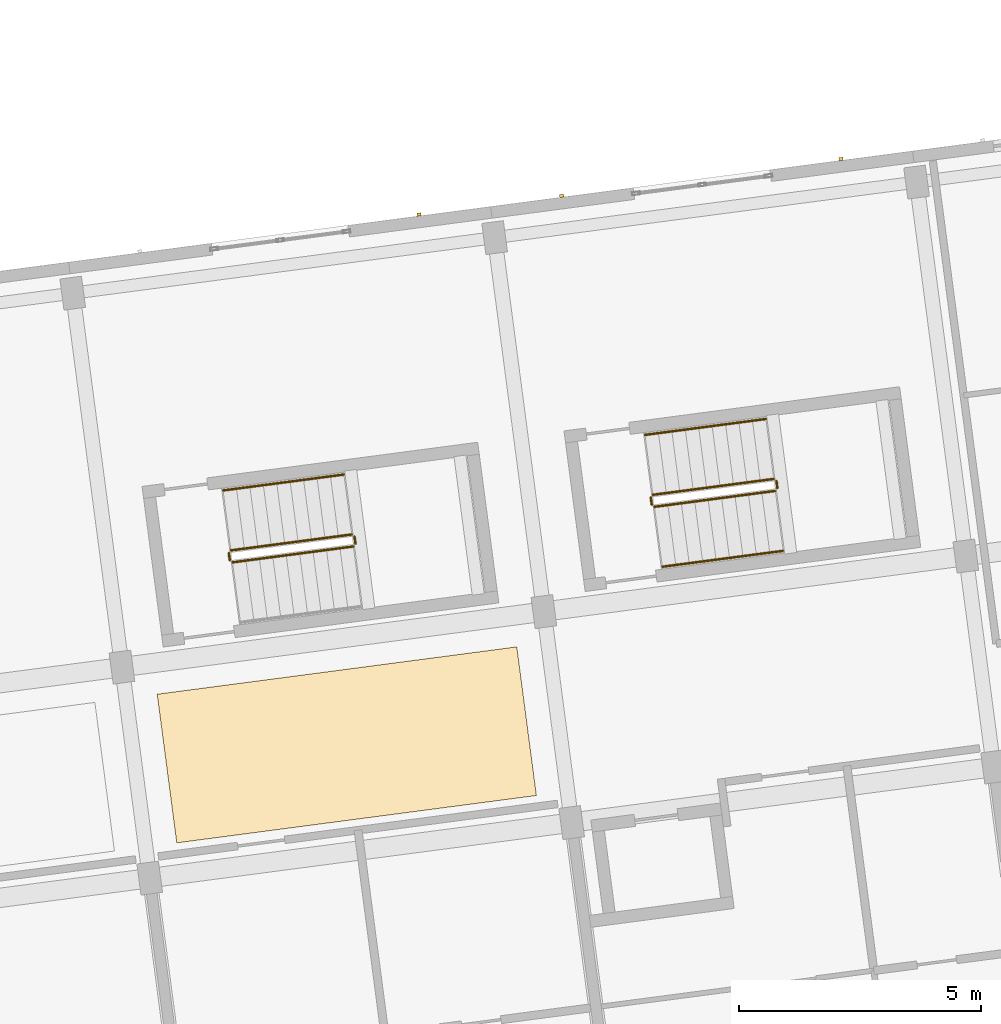
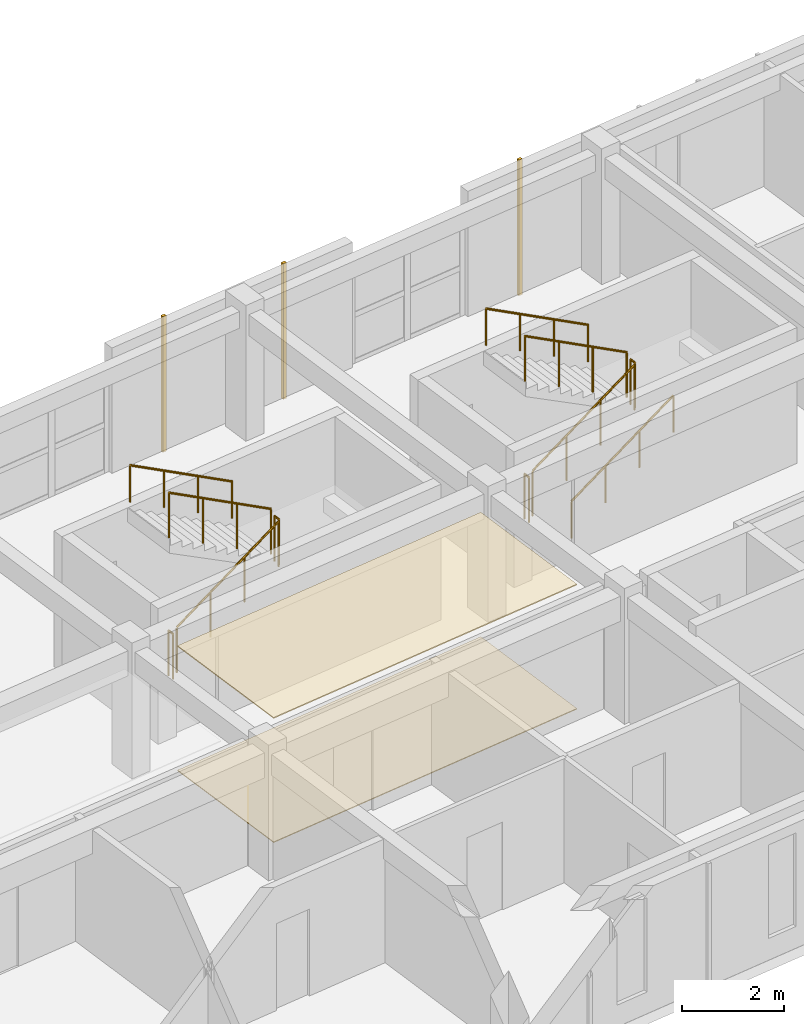
# One storey, part 25 of 34: 11 railings, 5 coverings.
"""IFC4 building model written with IfcOpenShell, lengths in metres."""

from ifc_helpers import new_model, si_unit, direction, frame, origin, origin_2d, place, context, subcontext, project, spatial, polyline, rectangle, circle, outline, extrude, material, layer, layer_set, type_object, element, save


model = new_model("IFC4")

# Units and contexts
model_context = context("Model", 3, precision=1e-05, world=origin(), true_north=direction((0.0, 1.0)))
body_context = subcontext(model_context, "Body", "Model", "MODEL_VIEW")
ifc_project = project(units=[si_unit("LENGTHUNIT", "METRE"), si_unit("AREAUNIT", "SQUARE_METRE"), si_unit("VOLUMEUNIT", "CUBIC_METRE"), si_unit("PLANEANGLEUNIT", "RADIAN"), si_unit("MASSUNIT", "GRAM", prefix="KILO")], contexts=[model_context])

# Site, building, storey
site_placement = place(None, origin())
site = spatial("IfcSite", under=ifc_project, at=site_placement, CompositionType="ELEMENT")
building_placement = place(site_placement, origin())
building = spatial("IfcBuilding", under=site, at=building_placement, Name="Kestramere Prow Commons", CompositionType="ELEMENT")
storey_placement = place(building_placement, frame((0.0, 0.0, 34.39990234375)))
storey = spatial("IfcBuildingStorey", under=building, at=storey_placement, Name="L10", CompositionType="ELEMENT", Elevation=34.39990234375)

# Coverings
ifc_material_1 = material(Name="Mineral Fibre Acoustic Ceiling Tile")
ifc_layer_1 = layer(ifc_material_1, 0.02490234375)
ifc_layer_set_1 = layer_set([ifc_layer_1], Name="Mineral Fibre Acoustic Ceiling Tile")
covering_type_1 = type_object("IfcCoveringType", Name="COV-CEIL-ACOUSTIC", PredefinedType="CEILING", material=ifc_layer_set_1)
covering_1_placement = place(storey_placement, frame((0.0, 0.0, 2.97509765625)))
element("IfcCovering", 1, at=covering_1_placement, inside=storey, type_object=covering_type_1, Name="Block A L10 Corridor Acoustic Ceiling 2", PredefinedType="CEILING", context=body_context, shape_type="SweptSolid", body=[
    extrude(outline(polyline([(19.46630859375, 81.611083984375), (26.902099609375, 82.590087890625), (26.497314453125, 85.66357421875), (19.0615234375, 84.6845703125), (19.46630859375, 81.611083984375)])), origin(), (0.0, 0.0, 1.0), 0.02490234375),
])
ifc_material_2 = material(Name="Weathered Zinc-Titanium Standing-Seam Cladding")
ifc_layer_2 = layer(ifc_material_2, 0.074951171875)
ifc_layer_set_2 = layer_set([ifc_layer_2], Name="Weathered Zinc-Titanium Standing-Seam Cladding")
covering_type_2 = type_object("IfcCoveringType", Name="COV-CLAD-SEAM", PredefinedType="CLADDING", material=ifc_layer_set_2)
for number, where, z_axis, x_axis, name in (
    (2, (24.4755859375, 94.603759765625, -0.25), (0.0, 0.0, 1.0), (0.991444861374, 0.13052619222, 0.0), "EW-A-L10-NP-1-R Standing-Seam Rib 1"),
    (3, (27.42529296875, 94.991943359375, -0.25), (0.0, 0.0, 1.0), (0.991444861374, 0.13052619222, 0.0), "EW-A-L10-NP-2-L Standing-Seam Rib 1"),
    (4, (33.200439453125, 95.75244140625, -0.25), (0.0, 0.0, 1.0), (0.991444861374, 0.13052619222, 0.0), "EW-A-L10-NP-2-R Standing-Seam Rib 1"),
):
    element("IfcCovering", number, at=place(storey_placement, frame(where, z_axis=z_axis, x_axis=x_axis)), inside=storey, type_object=covering_type_2, Name=name, PredefinedType="CLADDING", context=body_context, shape_type="SweptSolid", body=[
        extrude(rectangle(XDim=0.0849609375, YDim=0.06494140625, at=origin_2d()), origin(), (0.0, 0.0, 1.0), 3.25),
    ])
ifc_material_3 = material(Name="Honed Cementitious Terrazzo Tile")
ifc_layer_3 = layer(ifc_material_3, 0.02001953125)
ifc_layer_set_3 = layer_set([ifc_layer_3], Name="Honed Cementitious Terrazzo Tile")
covering_type_3 = type_object("IfcCoveringType", Name="COV-FLOOR-TERRAZZO", PredefinedType="FLOORING", material=ifc_layer_set_3)
covering_2_placement = place(storey_placement, origin())
element("IfcCovering", 5, at=covering_2_placement, inside=storey, type_object=covering_type_3, Name="Block A L10 Corridor Terrazzo Flooring 2", PredefinedType="FLOORING", context=body_context, shape_type="SweptSolid", body=[
    extrude(outline(polyline([(19.46630859375, 81.611083984375), (26.902099609375, 82.590087890625), (26.497314453125, 85.66357421875), (19.0615234375, 84.6845703125), (19.46630859375, 81.611083984375)])), origin(), (0.0, 0.0, 1.0), 0.02001953125),
])

# Railings
ifc_material_4 = material(Name="Galvanised Steel S275JR", Category="steel")
railing_type_1 = type_object("IfcRailingType", Name="RL-ST-GR-1100", PredefinedType="GUARDRAIL", material=ifc_material_4)
railing_1_placement = place(storey_placement, frame((20.618896484375, 87.411376953125, 0.16259765625)))
element("IfcRailing", 6, at=railing_1_placement, inside=storey, type_object=railing_type_1, Name="L10 ST-A1 stair guard 1", PredefinedType="GUARDRAIL", context=body_context, shape_type="SweptSolid", body=[
    extrude(circle(Radius=0.02392578125, at=origin_2d()), frame((0.0, 0.0, 1.076171875), z_axis=(0.85752303711, 0.112867259233, 0.501911568525), x_axis=(-0.130494608992, 0.991449018873, 0.0)), (0.0, 0.0, 1.0), 2.91357421875),
    extrude(circle(Radius=0.02099609375, at=origin_2d()), origin(), (0.0, 0.0, 1.0), 1.052001953125),
    extrude(circle(Radius=0.02099609375, at=origin_2d()), frame((0.832763671875, 0.109619140625, 0.487548828125)), (0.0, 0.0, 1.0), 1.052001953125),
    extrude(circle(Radius=0.02099609375, at=origin_2d()), frame((1.665771484375, 0.21923828125, 0.974853515625)), (0.0, 0.0, 1.0), 1.052001953125),
    extrude(circle(Radius=0.02099609375, at=origin_2d()), frame((2.49853515625, 0.328857421875, 1.46240234375)), (0.0, 0.0, 1.0), 1.052001953125),
])
railing_2_placement = place(storey_placement, frame((23.160400390625, 87.79638671875, 1.625)))
element("IfcRailing", 7, at=railing_2_placement, inside=storey, type_object=railing_type_1, Name="L10 ST-A1 stair guard 2", PredefinedType="GUARDRAIL", context=body_context, shape_type="SweptSolid", body=[
    extrude(circle(Radius=0.02392578125, at=origin_2d()), frame((0.0, 0.0, 1.076171875), z_axis=(-0.130243938252, 0.991481979941, 0.0), x_axis=(-0.991481979941, -0.130243938252, 0.0)), (0.0, 0.0, 1.0), 0.14990234375),
    extrude(circle(Radius=0.02099609375, at=origin_2d()), origin(), (0.0, 0.0, 1.0), 1.052001953125),
    extrude(circle(Radius=0.02099609375, at=origin_2d()), frame((-0.01953125, 0.148681640625, 0.0)), (0.0, 0.0, 1.0), 1.052001953125),
])
railing_3_placement = place(storey_placement, frame((23.084716796875, 87.988037109375, 1.78759765625)))
element("IfcRailing", 8, at=railing_3_placement, inside=storey, type_object=railing_type_1, Name="L10 ST-A1 stair guard 3", PredefinedType="GUARDRAIL", context=body_context, shape_type="SweptSolid", body=[
    extrude(circle(Radius=0.02392578125, at=origin_2d()), frame((0.0, 0.0, 1.076171875), z_axis=(-0.857500858922, -0.112875369585, 0.501947634608), x_axis=(0.130507144135, -0.991447368916, 0.0)), (0.0, 0.0, 1.0), 2.91357421875),
    extrude(circle(Radius=0.02099609375, at=origin_2d()), origin(), (0.0, 0.0, 1.0), 1.052001953125),
    extrude(circle(Radius=0.02099609375, at=origin_2d()), frame((-0.832763671875, -0.109619140625, 0.487548828125)), (0.0, 0.0, 1.0), 1.052001953125),
    extrude(circle(Radius=0.02099609375, at=origin_2d()), frame((-1.66552734375, -0.21923828125, 0.974853515625)), (0.0, 0.0, 1.0), 1.052001953125),
    extrude(circle(Radius=0.02099609375, at=origin_2d()), frame((-2.498291015625, -0.328857421875, 1.46240234375)), (0.0, 0.0, 1.0), 1.052001953125),
])
railing_4_placement = place(storey_placement, frame((20.56298828125, 87.454345703125, 0.0)))
element("IfcRailing", 9, at=railing_4_placement, inside=storey, type_object=railing_type_1, Name="L10 ST-A1 stair guard 4", PredefinedType="GUARDRAIL", context=body_context, shape_type="SweptSolid", body=[
    extrude(circle(Radius=0.02392578125, at=origin_2d()), frame((0.0, 0.0, 1.076171875), z_axis=(-0.131843859112, 0.99127049629, 0.0), x_axis=(-0.99127049629, -0.131843859112, 0.0)), (0.0, 0.0, 1.0), 0.14990234375),
    extrude(circle(Radius=0.02099609375, at=origin_2d()), origin(), (0.0, 0.0, 1.0), 1.052001953125),
    extrude(circle(Radius=0.02099609375, at=origin_2d()), frame((-0.019775390625, 0.148681640625, 0.0)), (0.0, 0.0, 1.0), 1.052001953125),
])
railing_5_placement = place(storey_placement, frame((29.34375, 88.559814453125, 0.16259765625)))
element("IfcRailing", 10, at=railing_5_placement, inside=storey, type_object=railing_type_1, Name="L10 ST-A2 stair guard 1", PredefinedType="GUARDRAIL", context=body_context, shape_type="SweptSolid", body=[
    extrude(circle(Radius=0.02392578125, at=origin_2d()), frame((0.0, 0.0, 1.076171875), z_axis=(0.857492745196, 0.112958098361, 0.501942885148), x_axis=(-0.130602379397, 0.991434828164, 0.0)), (0.0, 0.0, 1.0), 2.91357421875),
    extrude(circle(Radius=0.02099609375, at=origin_2d()), origin(), (0.0, 0.0, 1.0), 1.052001953125),
    extrude(circle(Radius=0.02099609375, at=origin_2d()), frame((0.832763671875, 0.109619140625, 0.487548828125)), (0.0, 0.0, 1.0), 1.052001953125),
    extrude(circle(Radius=0.02099609375, at=origin_2d()), frame((1.66552734375, 0.219482421875, 0.974853515625)), (0.0, 0.0, 1.0), 1.052001953125),
    extrude(circle(Radius=0.02099609375, at=origin_2d()), frame((2.498291015625, 0.3291015625, 1.46240234375)), (0.0, 0.0, 1.0), 1.052001953125),
])
railing_6_placement = place(storey_placement, frame((31.88525390625, 88.94482421875, 1.625)))
element("IfcRailing", 11, at=railing_6_placement, inside=storey, type_object=railing_type_1, Name="L10 ST-A2 stair guard 2", PredefinedType="GUARDRAIL", context=body_context, shape_type="SweptSolid", body=[
    extrude(circle(Radius=0.02392578125, at=origin_2d()), frame((0.0, 0.0, 1.076171875), z_axis=(-0.1300340368, 0.991509530601, 0.0), x_axis=(-0.991509530601, -0.1300340368, 0.0)), (0.0, 0.0, 1.0), 0.150146484375),
    extrude(circle(Radius=0.02099609375, at=origin_2d()), origin(), (0.0, 0.0, 1.0), 1.052001953125),
    extrude(circle(Radius=0.02099609375, at=origin_2d()), frame((-0.01953125, 0.14892578125, 0.0)), (0.0, 0.0, 1.0), 1.052001953125),
])
railing_7_placement = place(storey_placement, frame((31.8095703125, 89.13671875, 1.78759765625)))
element("IfcRailing", 12, at=railing_7_placement, inside=storey, type_object=railing_type_1, Name="L10 ST-A2 stair guard 3", PredefinedType="GUARDRAIL", context=body_context, shape_type="SweptSolid", body=[
    extrude(circle(Radius=0.02392578125, at=origin_2d()), frame((0.0, 0.0, 1.076171875), z_axis=(-0.85752303711, -0.112867259233, 0.501911568525), x_axis=(0.130494608992, -0.991449018873, 0.0)), (0.0, 0.0, 1.0), 2.91357421875),
    extrude(circle(Radius=0.02099609375, at=origin_2d()), origin(), (0.0, 0.0, 1.0), 1.052001953125),
    extrude(circle(Radius=0.02099609375, at=origin_2d()), frame((-0.832763671875, -0.109619140625, 0.487548828125)), (0.0, 0.0, 1.0), 1.052001953125),
    extrude(circle(Radius=0.02099609375, at=origin_2d()), frame((-1.665771484375, -0.21923828125, 0.974853515625)), (0.0, 0.0, 1.0), 1.052001953125),
    extrude(circle(Radius=0.02099609375, at=origin_2d()), frame((-2.49853515625, -0.328857421875, 1.46240234375)), (0.0, 0.0, 1.0), 1.052001953125),
])
railing_8_placement = place(storey_placement, frame((29.28759765625, 88.60302734375, 0.0)))
element("IfcRailing", 13, at=railing_8_placement, inside=storey, type_object=railing_type_1, Name="L10 ST-A2 stair guard 4", PredefinedType="GUARDRAIL", context=body_context, shape_type="SweptSolid", body=[
    extrude(circle(Radius=0.02392578125, at=origin_2d()), frame((0.0, 0.0, 1.076171875), z_axis=(-0.130243938252, 0.991481979941, 0.0), x_axis=(-0.991481979941, -0.130243938252, 0.0)), (0.0, 0.0, 1.0), 0.14990234375),
    extrude(circle(Radius=0.02099609375, at=origin_2d()), origin(), (0.0, 0.0, 1.0), 1.052001953125),
    extrude(circle(Radius=0.02099609375, at=origin_2d()), frame((-0.01953125, 0.148681640625, 0.0)), (0.0, 0.0, 1.0), 1.052001953125),
])
ifc_material_5 = material(Name="Stainless Steel 304", Category="steel")
railing_type_2 = type_object("IfcRailingType", Name="RL-ST-HR-900", PredefinedType="HANDRAIL", material=ifc_material_5)
railing_9_placement = place(storey_placement, frame((22.921630859375, 89.227294921875, 1.9501953125)))
element("IfcRailing", 14, at=railing_9_placement, inside=storey, type_object=railing_type_2, Name="L10 ST-A1 stair handrail 2", PredefinedType="HANDRAIL", context=body_context, shape_type="SweptSolid", body=[
    extrude(circle(Radius=0.02392578125, at=origin_2d()), frame((0.0, 0.0, 0.8759765625), z_axis=(-0.85752303711, -0.112867259233, 0.501911568525), x_axis=(0.130494608992, -0.991449018873, 0.0)), (0.0, 0.0, 1.0), 2.91357421875),
    extrude(circle(Radius=0.02099609375, at=origin_2d()), origin(), (0.0, 0.0, 1.0), 0.851806640625),
    extrude(circle(Radius=0.02099609375, at=origin_2d()), frame((-0.832763671875, -0.109619140625, 0.487548828125)), (0.0, 0.0, 1.0), 0.851806640625),
    extrude(circle(Radius=0.02099609375, at=origin_2d()), frame((-1.665771484375, -0.21923828125, 0.974853515625)), (0.0, 0.0, 1.0), 0.851806640625),
    extrude(circle(Radius=0.02099609375, at=origin_2d()), frame((-2.49853515625, -0.328857421875, 1.46240234375)), (0.0, 0.0, 1.0), 0.851806640625),
])
railing_10_placement = place(storey_placement, frame((29.5068359375, 87.320556640625, 0.3251953125)))
element("IfcRailing", 15, at=railing_10_placement, inside=storey, type_object=railing_type_2, Name="L10 ST-A2 stair handrail 1", PredefinedType="HANDRAIL", context=body_context, shape_type="SweptSolid", body=[
    extrude(circle(Radius=0.02392578125, at=origin_2d()), frame((0.0, 0.0, 0.8759765625), z_axis=(0.85752303711, 0.112867259233, 0.501911568525), x_axis=(-0.130494608992, 0.991449018873, 0.0)), (0.0, 0.0, 1.0), 2.91357421875),
    extrude(circle(Radius=0.02099609375, at=origin_2d()), origin(), (0.0, 0.0, 1.0), 0.851806640625),
    extrude(circle(Radius=0.02099609375, at=origin_2d()), frame((0.832763671875, 0.109619140625, 0.487548828125)), (0.0, 0.0, 1.0), 0.851806640625),
    extrude(circle(Radius=0.02099609375, at=origin_2d()), frame((1.665771484375, 0.21923828125, 0.974853515625)), (0.0, 0.0, 1.0), 0.851806640625),
    extrude(circle(Radius=0.02099609375, at=origin_2d()), frame((2.49853515625, 0.328857421875, 1.46240234375)), (0.0, 0.0, 1.0), 0.851806640625),
])
railing_11_placement = place(storey_placement, frame((31.646484375, 90.3759765625, 1.9501953125)))
element("IfcRailing", 16, at=railing_11_placement, inside=storey, type_object=railing_type_2, Name="L10 ST-A2 stair handrail 2", PredefinedType="HANDRAIL", context=body_context, shape_type="SweptSolid", body=[
    extrude(circle(Radius=0.02392578125, at=origin_2d()), frame((0.0, 0.0, 0.8759765625), z_axis=(-0.85752303711, -0.112867259233, 0.501911568525), x_axis=(0.130494608992, -0.991449018873, 0.0)), (0.0, 0.0, 1.0), 2.91357421875),
    extrude(circle(Radius=0.02099609375, at=origin_2d()), origin(), (0.0, 0.0, 1.0), 0.851806640625),
    extrude(circle(Radius=0.02099609375, at=origin_2d()), frame((-0.832763671875, -0.109619140625, 0.487548828125)), (0.0, 0.0, 1.0), 0.851806640625),
    extrude(circle(Radius=0.02099609375, at=origin_2d()), frame((-1.665771484375, -0.21923828125, 0.974853515625)), (0.0, 0.0, 1.0), 0.851806640625),
    extrude(circle(Radius=0.02099609375, at=origin_2d()), frame((-2.49853515625, -0.328857421875, 1.46240234375)), (0.0, 0.0, 1.0), 0.851806640625),
])

save(model, "model.ifc")
